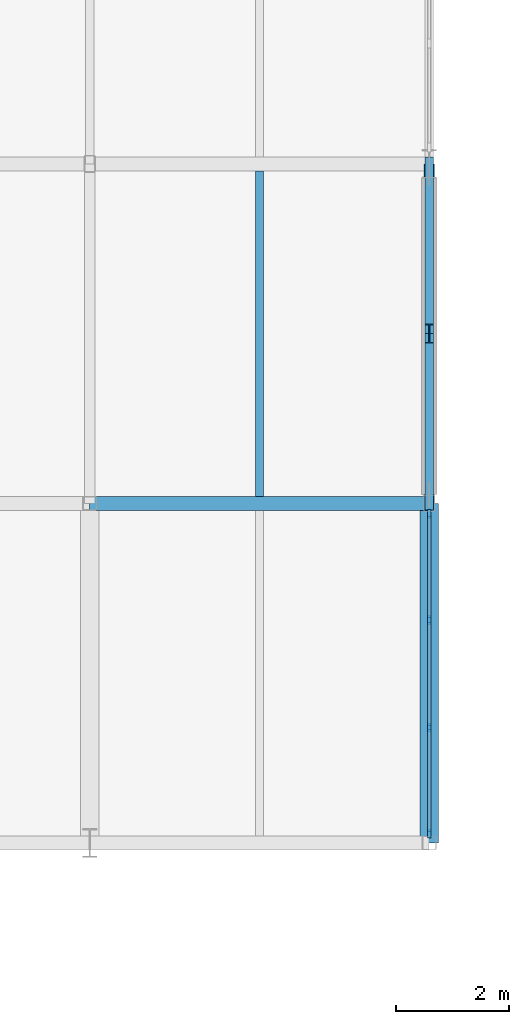
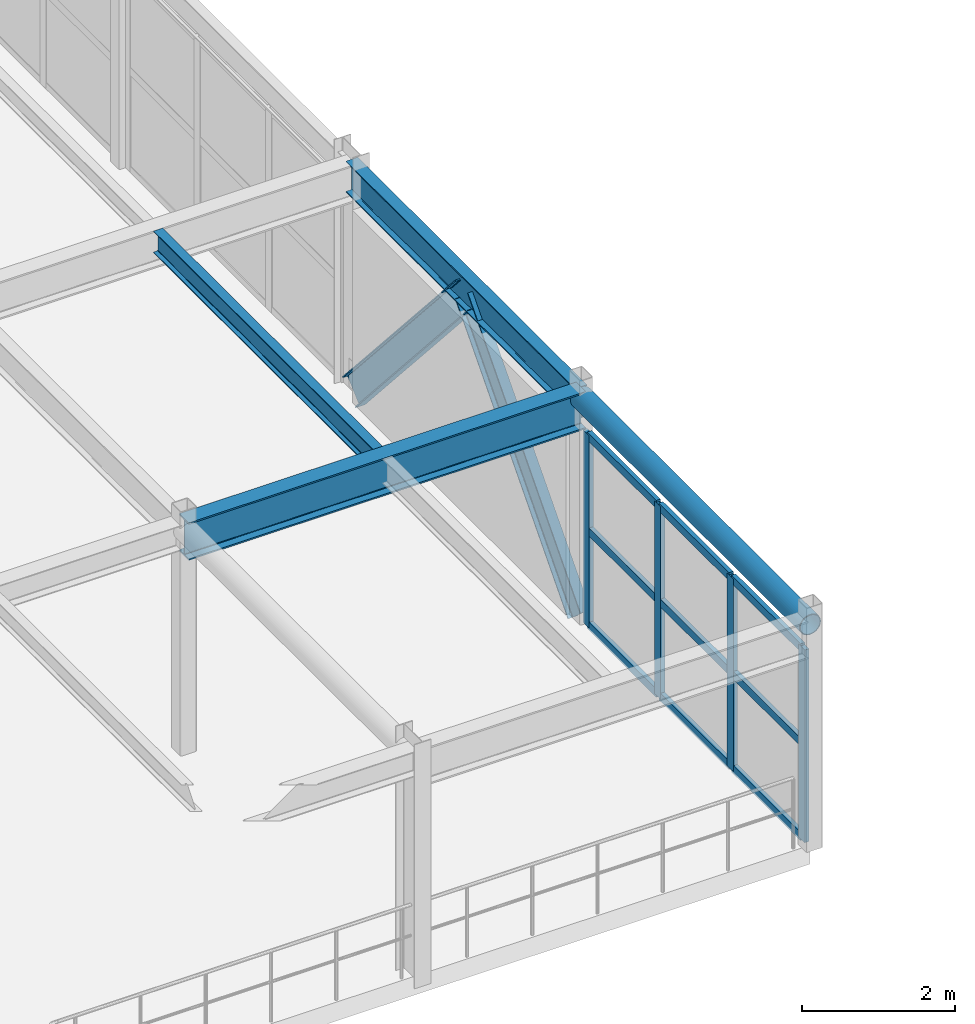
# One storey, part 10 of 63: 15 members, 4 beams, 1 element without a shape of its own.
"""IFC4 building model written with IfcOpenShell, lengths in metres."""

import ifcopenshell
import ifcopenshell.guid

model = None  # the IFC model being written
_history = None  # IfcOwnerHistory: only IFC2X3 demands one
_inside = {}  # id of a spatial element -> (the spatial element, [elements in it])
_under = {}  # id of a project, library or spatial element -> (it, [spatial elements below it])
_declared = {}  # id of a project -> (the project, [libraries it declares])
_typed = {}  # id of a type object -> (the type object, [elements of that type])
_made_of = {}  # id of a material, layer set ... -> (it, [elements and type objects made of it])


def new_model(schema):
    """Start an empty IFC model of exactly this schema.

    Asked for "IFC4X3", IfcOpenShell would pick the latest addendum, in which some entities
    have other attributes; the version numbers below select the first issue.
    IFC2X3 requires an IfcOwnerHistory on every rooted entity: one is made here for all.
    """
    global model, _history
    if schema == "IFC4X3":
        model = ifcopenshell.file(schema_version=(4, 3, 0, 0))
    else:
        model = ifcopenshell.file(schema=schema)
    _inside.clear()
    _under.clear()
    _declared.clear()
    _typed.clear()
    _made_of.clear()
    _history = None
    if model.schema == "IFC2X3":
        org = make("IfcOrganization", Name="unknown")
        user = make(
            "IfcPersonAndOrganization",
            ThePerson=make("IfcPerson", FamilyName="unknown"),
            TheOrganization=org,
        )
        app = make(
            "IfcApplication",
            ApplicationDeveloper=org,
            Version="unknown",
            ApplicationFullName="unknown",
            ApplicationIdentifier="unknown",
        )
        _history = make(
            "IfcOwnerHistory",
            OwningUser=user,
            OwningApplication=app,
            ChangeAction="ADDED",
            CreationDate=0,
        )
    return model


def make(cls, **values):
    """One entity of the class cls with the attributes given. An attribute that is None is left unset."""
    return model.create_entity(
        cls, **{name: value for name, value in values.items() if value is not None}
    )


def rooted(cls, **values):
    """An entity with a GlobalId (a new one), such as an element, a storey or a relation."""
    return make(cls, GlobalId=ifcopenshell.guid.new(), OwnerHistory=_history, **values)


def si_unit(unit_type, name, prefix=None):
    """IfcSIUnit, for example si_unit("LENGTHUNIT", "METRE", prefix="MILLI")."""
    return make("IfcSIUnit", UnitType=unit_type, Prefix=prefix, Name=name)


def assignment(units):
    """IfcUnitAssignment: the units of a project."""
    return None if units is None else make("IfcUnitAssignment", Units=units)


def point(xyz):
    """IfcCartesianPoint."""
    return None if xyz is None else make("IfcCartesianPoint", Coordinates=xyz)


def direction(xyz):
    """IfcDirection."""
    return None if xyz is None else make("IfcDirection", DirectionRatios=xyz)


def frame(location, z_axis=None, x_axis=None):
    """IfcAxis2Placement3D, a coordinate frame: its origin and axes. An axis left out is left unset."""
    return make(
        "IfcAxis2Placement3D",
        Location=point(location),
        Axis=direction(z_axis),
        RefDirection=direction(x_axis),
    )


def frame_2d(location, x_axis=None):
    """IfcAxis2Placement2D, a coordinate frame in the plane: its origin and x axis."""
    return make(
        "IfcAxis2Placement2D", Location=point(location), RefDirection=direction(x_axis)
    )


def origin():
    """The frame at (0, 0, 0) with its axes left unset."""
    return frame((0.0, 0.0, 0.0))


def origin_2d():
    """The frame at (0, 0) in the plane with its x axis left unset."""
    return frame_2d((0.0, 0.0))


def place(relative_to, where):
    """IfcLocalPlacement: puts the frame where relative to a parent placement (None: the world)."""
    return make(
        "IfcLocalPlacement", PlacementRelTo=relative_to, RelativePlacement=where
    )


def context(
    kind, dimensions, precision=None, world=None, true_north=None, identifier=None
):
    """IfcGeometricRepresentationContext, for example the 3D "Model" context."""
    return make(
        "IfcGeometricRepresentationContext",
        ContextIdentifier=identifier,
        ContextType=kind,
        CoordinateSpaceDimension=dimensions,
        Precision=precision,
        WorldCoordinateSystem=world,
        TrueNorth=true_north,
    )


def subcontext(parent, identifier, kind, view, scale=None):
    """IfcGeometricRepresentationSubContext, for example "Body" below "Model"."""
    return make(
        "IfcGeometricRepresentationSubContext",
        ContextIdentifier=identifier,
        ContextType=kind,
        ParentContext=parent,
        TargetScale=scale,
        TargetView=view,
    )


def project(units=None, contexts=None):
    """IfcProject with its units and contexts."""
    return rooted(
        "IfcProject",
        Name="project",
        RepresentationContexts=contexts,
        UnitsInContext=assignment(units),
    )


def spatial(cls, under=None, at=None, **own):
    """A site, building, storey or space (cls), placed at a placement, below another one or the project."""
    s = rooted(cls, ObjectPlacement=at, **own)
    if under is not None:
        _under.setdefault(under.id(), (under, []))[1].append(s)
    return s


def profile(cls, at=None, kind="AREA", **sizes):
    """A parametric profile (cls). Its sizes go by their IFC names, for example OverallWidth=200.0."""
    return make(cls, ProfileType=kind, Position=at, **sizes)


def rectangle(**sizes):
    """IfcRectangleProfileDef."""
    return profile("IfcRectangleProfileDef", **sizes)


def hollow_circle(**sizes):
    """IfcCircleHollowProfileDef."""
    return profile("IfcCircleHollowProfileDef", **sizes)


def i_section(**sizes):
    """IfcIShapeProfileDef."""
    return profile("IfcIShapeProfileDef", **sizes)


def extrude(swept, where, along, depth):
    """IfcExtrudedAreaSolid: the profile swept, set in the frame where, extruded along a direction by depth."""
    return make(
        "IfcExtrudedAreaSolid",
        SweptArea=swept,
        Position=where,
        ExtrudedDirection=direction(along),
        Depth=depth,
    )


def shape(context_of_items, identifier, shape_type, items):
    """IfcShapeRepresentation: the items that make up one representation, for example the "Body"."""
    return make(
        "IfcShapeRepresentation",
        ContextOfItems=context_of_items,
        RepresentationIdentifier=identifier,
        RepresentationType=shape_type,
        Items=items,
    )


def material(Name=None, Category=None):
    """IfcMaterial."""
    return make("IfcMaterial", Name=Name, Category=Category)


def material_profile(
    of_material, cross_section, Name=None, Category=None, Priority=None
):
    """IfcMaterialProfile: a cross section and its material."""
    return make(
        "IfcMaterialProfile",
        Name=Name,
        Material=of_material,
        Profile=cross_section,
        Priority=Priority,
        Category=Category,
    )


def profile_set(profiles, Name=None, composite=None):
    """IfcMaterialProfileSet."""
    return make(
        "IfcMaterialProfileSet",
        Name=Name,
        MaterialProfiles=profiles,
        CompositeProfile=composite,
    )


def made_of(thing, what):
    """Note that an element or type object is made of a material, layer set ...; save() writes the relation."""
    if what is not None:
        _made_of.setdefault(what.id(), (what, []))[1].append(thing)
    return thing


def type_object(cls, material=None, **own):
    """A type object (cls), such as IfcWallType, which elements share."""
    return made_of(rooted(cls, **own), material)


def element(
    cls,
    number,
    at=None,
    inside=None,
    cuts=None,
    type_object=None,
    material=None,
    context=None,
    identifier="Body",
    shape_type=None,
    held_by="IfcProductDefinitionShape",
    body=None,
    shapes=None,
    **own,
):
    """One element of the class cls, such as IfcWall. Its Tag is "e" and its number.

    at: its placement. inside: the storey or other place that contains it. cuts: it is an
    opening in that element (IfcRelVoidsElement). A single representation is given by context,
    identifier, shape_type and body (its items); several are given by shapes. held_by: the class
    of the entity that holds the representations. save() writes the other relations.
    """
    e = rooted(cls, Tag="e%d" % number, ObjectPlacement=at, **own)
    if body is not None:
        shapes = [shape(context, identifier, shape_type, body)]
    if shapes is not None:
        e.Representation = make(held_by, Representations=shapes)
    if inside is not None:
        _inside.setdefault(inside.id(), (inside, []))[1].append(e)
    if cuts is not None:
        rooted(
            "IfcRelVoidsElement", RelatingBuildingElement=cuts, RelatedOpeningElement=e
        )
    if type_object is not None:
        _typed.setdefault(type_object.id(), (type_object, []))[1].append(e)
    return made_of(e, material)


def aggregate(whole, parts):
    """IfcRelAggregates: a whole, such as a stair, and the parts it consists of."""
    return rooted("IfcRelAggregates", RelatingObject=whole, RelatedObjects=parts)


def save(model, path):
    """Write the relations noted so far, then the file.

    IfcRelAggregates (storeys below a building ...), IfcRelContainedInSpatialStructure (elements
    in a storey), IfcRelDefinesByType, IfcRelAssociatesMaterial and IfcRelDeclares: one each for
    every whole, place, type object, material and project.
    """
    for whole, parts in _under.values():
        aggregate(whole, parts)
    for where, things in _inside.values():
        rooted(
            "IfcRelContainedInSpatialStructure",
            RelatedElements=things,
            RelatingStructure=where,
        )
    for kind, things in _typed.values():
        rooted("IfcRelDefinesByType", RelatedObjects=things, RelatingType=kind)
    for what, things in _made_of.values():
        rooted("IfcRelAssociatesMaterial", RelatedObjects=things, RelatingMaterial=what)
    for by, libraries in _declared.values():
        rooted("IfcRelDeclares", RelatingContext=by, RelatedDefinitions=libraries)
    model.write(path)


model = new_model("IFC4")

# Units and contexts
model_context = context("Model", 3, precision=1e-05, world=origin(), true_north=direction((0.0, 1.0)))
body_context = subcontext(model_context, "Body", "Model", "MODEL_VIEW")
ifc_project = project(units=[si_unit("LENGTHUNIT", "METRE"), si_unit("AREAUNIT", "SQUARE_METRE"), si_unit("VOLUMEUNIT", "CUBIC_METRE"), si_unit("PLANEANGLEUNIT", "RADIAN"), si_unit("MASSUNIT", "GRAM", prefix="KILO")], contexts=[model_context])

# Site, building, storey
site_placement = place(None, origin())
site = spatial("IfcSite", under=ifc_project, at=site_placement, CompositionType="ELEMENT")
building_placement = place(site_placement, origin())
building = spatial("IfcBuilding", under=site, at=building_placement, Name="Varnakota Square Police Headquarters", CompositionType="ELEMENT")
storey_placement = place(building_placement, frame((0.0, 0.0, 22.199951171875)))
storey = spatial("IfcBuildingStorey", under=building, at=storey_placement, Name="L05", CompositionType="ELEMENT", Elevation=22.199951171875)

# Beams
ifc_material_1 = material(Name="Steel IS 2062 Grade 350", Category="steel")
ifc_material_profile_1 = material_profile(ifc_material_1, hollow_circle(Radius=0.161865234375, WallThickness=0.0126953125, at=origin_2d()), Name="CHS 323.9x12.7")
ifc_profile_set_1 = profile_set([ifc_material_profile_1], Name="Steel IS 2062 Grade 350")
beam_type_1 = type_object("IfcBeamType", Name="BM-ARC-CHS324", PredefinedType="BEAM", material=ifc_profile_set_1)
beam_1_placement = place(storey_placement, frame((42.0, 21.0, 3.528076171875), z_axis=(0.0, 1.0, 0.0), x_axis=(-1.0, 0.0, 0.0)))
element("IfcBeam", 1, at=beam_1_placement, inside=storey, type_object=beam_type_1, Name="BMG-L05-3199", PredefinedType="BEAM", context=body_context, shape_type="SweptSolid", body=[
    extrude(hollow_circle(Radius=0.161865234375, WallThickness=0.0126953125, at=origin_2d()), origin(), (0.0, 0.0, 1.0), 6.0),
])
ifc_material_profile_2 = material_profile(ifc_material_1, i_section(OverallWidth=0.139892578125, OverallDepth=0.35009765625, WebThickness=0.008056640625, FlangeThickness=0.01416015625, FilletRadius=0.013916015625, at=origin_2d()), Name="ISMB 350")
ifc_profile_set_2 = profile_set([ifc_material_profile_2], Name="Steel IS 2062 Grade 350")
beam_type_2 = type_object("IfcBeamType", Name="BM-ISMB350", PredefinedType="JOIST", material=ifc_profile_set_2)
beam_2_placement = place(storey_placement, frame((39.0, 27.123046875, 3.51513671875), z_axis=(0.0, 1.0, 0.0), x_axis=(-1.0, 0.0, 0.0)))
element("IfcBeam", 2, at=beam_2_placement, inside=storey, type_object=beam_type_2, Name="BMG-L05-3273", PredefinedType="JOIST", context=body_context, shape_type="SweptSolid", body=[
    extrude(i_section(OverallWidth=0.139892578125, OverallDepth=0.35009765625, WebThickness=0.008056640625, FlangeThickness=0.01416015625, FilletRadius=0.013916015625, at=origin_2d()), origin(), (0.0, 0.0, 1.0), 5.75390625),
])
ifc_material_profile_3 = material_profile(ifc_material_1, i_section(OverallWidth=0.179931640625, OverallDepth=0.5, WebThickness=0.01025390625, FlangeThickness=0.01708984375, FilletRadius=0.01708984375, at=origin_2d()), Name="ISMB 500")
ifc_profile_set_3 = profile_set([ifc_material_profile_3], Name="Steel IS 2062 Grade 350")
beam_type_3 = type_object("IfcBeamType", Name="BM-ISMB500", PredefinedType="BEAM", material=ifc_profile_set_3)
beam_3_placement = place(storey_placement, frame((42.0, 27.0, 3.43994140625), z_axis=(0.0, 1.0, 0.0), x_axis=(-1.0, 0.0, 0.0)))
element("IfcBeam", 3, at=beam_3_placement, inside=storey, type_object=beam_type_3, Name="BMG-L05-3200", PredefinedType="BEAM", context=body_context, shape_type="SweptSolid", body=[
    extrude(i_section(OverallWidth=0.179931640625, OverallDepth=0.5, WebThickness=0.01025390625, FlangeThickness=0.01708984375, FilletRadius=0.01708984375, at=origin_2d()), origin(), (0.0, 0.0, 1.0), 6.0),
])
ifc_material_profile_4 = material_profile(ifc_material_1, i_section(OverallWidth=0.25, OverallDepth=0.60009765625, WebThickness=0.01171875, FlangeThickness=0.023681640625, FilletRadius=0.01708984375, at=origin_2d()), Name="ISWB 600")
ifc_profile_set_4 = profile_set([ifc_material_profile_4], Name="Steel IS 2062 Grade 350")
beam_type_4 = type_object("IfcBeamType", Name="BM-ISWB600", PredefinedType="BEAM", material=ifc_profile_set_4)
beam_4_placement = place(storey_placement, frame((36.0, 27.0, 3.39013671875), z_axis=(1.0, 0.0, 0.0), x_axis=(0.0, 1.0, 0.0)))
element("IfcBeam", 4, at=beam_4_placement, inside=storey, type_object=beam_type_4, Name="BMG-L05-3112", PredefinedType="BEAM", context=body_context, shape_type="SweptSolid", body=[
    extrude(i_section(OverallWidth=0.25, OverallDepth=0.60009765625, WebThickness=0.01171875, FlangeThickness=0.023681640625, FilletRadius=0.01708984375, at=origin_2d()), origin(), (0.0, 0.0, 1.0), 6.0),
])

# Curtain wall, members
ifc_material_2 = material(Name="Anodised Aluminium Framing", Category="aluminium")
curtain_wall_type = type_object("IfcCurtainWallType", Name="CW-SYS-D", PredefinedType="NOTDEFINED", material=ifc_material_2)
curtain_wall_placement = place(storey_placement, origin())
curtain_wall = element("IfcCurtainWall", 5, at=curtain_wall_placement, inside=storey, type_object=curtain_wall_type, Name="Unitised curtain wall CWG-L05-192", PredefinedType="NOTDEFINED")
ifc_material_3 = material(Name="Anodised Aluminium 6063-T6", Category="aluminium")
ifc_material_profile_5 = material_profile(ifc_material_3, rectangle(XDim=0.06494140625, YDim=0.159912109375, at=origin_2d()), Name="ALU MULLION 65x160")
ifc_profile_set_5 = profile_set([ifc_material_profile_5], Name="Anodised Aluminium 6063-T6")
member_type_1 = type_object("IfcMemberType", Name="CWM-150", PredefinedType="MULLION", material=ifc_profile_set_5)
member_1_placement = place(storey_placement, frame((42.0, 21.16259765625, 0.0), z_axis=(0.0, 0.0, 1.0), x_axis=(-1.0, 0.0, 0.0)))
member_1 = element("IfcMember", 6, at=member_1_placement, type_object=member_type_1, Name="CWG-L05-192 mullion 1", PredefinedType="MULLION", context=body_context, shape_type="SweptSolid", body=[
    extrude(rectangle(XDim=0.06494140625, YDim=0.159912109375, at=origin_2d()), origin(), (0.0, 0.0, 1.0), 3.080078125),
])
member_2_placement = place(storey_placement, frame((42.0, 23.034912109375, 0.0), z_axis=(0.0, 0.0, 1.0), x_axis=(-1.0, 0.0, 0.0)))
member_2 = element("IfcMember", 7, at=member_2_placement, type_object=member_type_1, Name="CWG-L05-192 mullion 2", PredefinedType="MULLION", context=body_context, shape_type="SweptSolid", body=[
    extrude(rectangle(XDim=0.06494140625, YDim=0.159912109375, at=origin_2d()), origin(), (0.0, 0.0, 1.0), 3.080078125),
])
member_3_placement = place(storey_placement, frame((42.0, 24.93994140625, 0.0), z_axis=(0.0, 0.0, 1.0), x_axis=(-1.0, 0.0, 0.0)))
member_3 = element("IfcMember", 8, at=member_3_placement, type_object=member_type_1, Name="CWG-L05-192 mullion 3", PredefinedType="MULLION", context=body_context, shape_type="SweptSolid", body=[
    extrude(rectangle(XDim=0.06494140625, YDim=0.159912109375, at=origin_2d()), origin(), (0.0, 0.0, 1.0), 3.080078125),
])
member_4_placement = place(storey_placement, frame((42.0, 26.8125, 0.0), z_axis=(0.0, 0.0, 1.0), x_axis=(-1.0, 0.0, 0.0)))
member_4 = element("IfcMember", 9, at=member_4_placement, type_object=member_type_1, Name="CWG-L05-192 mullion 4", PredefinedType="MULLION", context=body_context, shape_type="SweptSolid", body=[
    extrude(rectangle(XDim=0.06494140625, YDim=0.159912109375, at=origin_2d()), origin(), (0.0, 0.0, 1.0), 3.080078125),
])
ifc_material_profile_6 = material_profile(ifc_material_3, rectangle(XDim=0.06494140625, YDim=0.1298828125, at=origin_2d()), Name="ALU TRANSOM 65x130")
ifc_profile_set_6 = profile_set([ifc_material_profile_6], Name="Anodised Aluminium 6063-T6")
member_type_2 = type_object("IfcMemberType", Name="CWT-120", PredefinedType="USERDEFINED", material=ifc_profile_set_6)
member_5_placement = place(storey_placement, frame((42.0, 21.195068359375, 0.032470703125), z_axis=(0.0, 1.0, 0.0), x_axis=(-1.0, 0.0, 0.0)))
member_5 = element("IfcMember", 10, at=member_5_placement, type_object=member_type_2, Name="CWG-L05-192 transom 1.1", ObjectType="TRANSOM", PredefinedType="USERDEFINED", context=body_context, shape_type="SweptSolid", body=[
    extrude(rectangle(XDim=0.06494140625, YDim=0.1298828125, at=origin_2d()), origin(), (0.0, 0.0, 1.0), 1.807373046875),
])
member_6_placement = place(storey_placement, frame((42.0, 21.195068359375, 1.5400390625), z_axis=(0.0, 1.0, 0.0), x_axis=(-1.0, 0.0, 0.0)))
member_6 = element("IfcMember", 11, at=member_6_placement, type_object=member_type_2, Name="CWG-L05-192 transom 1.2", ObjectType="TRANSOM", PredefinedType="USERDEFINED", context=body_context, shape_type="SweptSolid", body=[
    extrude(rectangle(XDim=0.06494140625, YDim=0.1298828125, at=origin_2d()), origin(), (0.0, 0.0, 1.0), 1.807373046875),
])
member_7_placement = place(storey_placement, frame((42.0, 21.195068359375, 3.047607421875), z_axis=(0.0, 1.0, 0.0), x_axis=(-1.0, 0.0, 0.0)))
member_7 = element("IfcMember", 12, at=member_7_placement, type_object=member_type_2, Name="CWG-L05-192 transom 1.3", ObjectType="TRANSOM", PredefinedType="USERDEFINED", context=body_context, shape_type="SweptSolid", body=[
    extrude(rectangle(XDim=0.06494140625, YDim=0.1298828125, at=origin_2d()), origin(), (0.0, 0.0, 1.0), 1.807373046875),
])
member_8_placement = place(storey_placement, frame((42.0, 23.0673828125, 0.032470703125), z_axis=(0.0, 1.0, 0.0), x_axis=(-1.0, 0.0, 0.0)))
member_8 = element("IfcMember", 13, at=member_8_placement, type_object=member_type_2, Name="CWG-L05-192 transom 2.1", ObjectType="TRANSOM", PredefinedType="USERDEFINED", context=body_context, shape_type="SweptSolid", body=[
    extrude(rectangle(XDim=0.06494140625, YDim=0.1298828125, at=origin_2d()), origin(), (0.0, 0.0, 1.0), 1.840087890625),
])
member_9_placement = place(storey_placement, frame((42.0, 23.0673828125, 1.5400390625), z_axis=(0.0, 1.0, 0.0), x_axis=(-1.0, 0.0, 0.0)))
member_9 = element("IfcMember", 14, at=member_9_placement, type_object=member_type_2, Name="CWG-L05-192 transom 2.2", ObjectType="TRANSOM", PredefinedType="USERDEFINED", context=body_context, shape_type="SweptSolid", body=[
    extrude(rectangle(XDim=0.06494140625, YDim=0.1298828125, at=origin_2d()), origin(), (0.0, 0.0, 1.0), 1.840087890625),
])
member_10_placement = place(storey_placement, frame((42.0, 23.0673828125, 3.047607421875), z_axis=(0.0, 1.0, 0.0), x_axis=(-1.0, 0.0, 0.0)))
member_10 = element("IfcMember", 15, at=member_10_placement, type_object=member_type_2, Name="CWG-L05-192 transom 2.3", ObjectType="TRANSOM", PredefinedType="USERDEFINED", context=body_context, shape_type="SweptSolid", body=[
    extrude(rectangle(XDim=0.06494140625, YDim=0.1298828125, at=origin_2d()), origin(), (0.0, 0.0, 1.0), 1.840087890625),
])
member_11_placement = place(storey_placement, frame((42.0, 24.972412109375, 0.032470703125), z_axis=(0.0, 1.0, 0.0), x_axis=(-1.0, 0.0, 0.0)))
member_11 = element("IfcMember", 16, at=member_11_placement, type_object=member_type_2, Name="CWG-L05-192 transom 3.1", ObjectType="TRANSOM", PredefinedType="USERDEFINED", context=body_context, shape_type="SweptSolid", body=[
    extrude(rectangle(XDim=0.06494140625, YDim=0.1298828125, at=origin_2d()), origin(), (0.0, 0.0, 1.0), 1.8076171875),
])
member_12_placement = place(storey_placement, frame((42.0, 24.972412109375, 1.5400390625), z_axis=(0.0, 1.0, 0.0), x_axis=(-1.0, 0.0, 0.0)))
member_12 = element("IfcMember", 17, at=member_12_placement, type_object=member_type_2, Name="CWG-L05-192 transom 3.2", ObjectType="TRANSOM", PredefinedType="USERDEFINED", context=body_context, shape_type="SweptSolid", body=[
    extrude(rectangle(XDim=0.06494140625, YDim=0.1298828125, at=origin_2d()), origin(), (0.0, 0.0, 1.0), 1.8076171875),
])
member_13_placement = place(storey_placement, frame((42.0, 24.972412109375, 3.047607421875), z_axis=(0.0, 1.0, 0.0), x_axis=(-1.0, 0.0, 0.0)))
member_13 = element("IfcMember", 18, at=member_13_placement, type_object=member_type_2, Name="CWG-L05-192 transom 3.3", ObjectType="TRANSOM", PredefinedType="USERDEFINED", context=body_context, shape_type="SweptSolid", body=[
    extrude(rectangle(XDim=0.06494140625, YDim=0.1298828125, at=origin_2d()), origin(), (0.0, 0.0, 1.0), 1.8076171875),
])
aggregate(curtain_wall, [member_1, member_2, member_3, member_4, member_5, member_6, member_7, member_8, member_9, member_10, member_11, member_12, member_13])

# Members
ifc_material_profile_7 = material_profile(ifc_material_1, i_section(OverallWidth=0.14990234375, OverallDepth=0.449951171875, WebThickness=0.009521484375, FlangeThickness=0.017333984375, FilletRadius=0.014892578125, at=origin_2d()), Name="ISMB 450")
ifc_profile_set_7 = profile_set([ifc_material_profile_7], Name="Steel IS 2062 Grade 350")
member_type_3 = type_object("IfcMemberType", Name="MEM-BR-ISMB450", PredefinedType="BRACE", material=ifc_profile_set_7)
for number, where, z_axis, x_axis, name in (
    (19, (42.0, 27.050048828125, 0.02001953125), (0.0, 0.663092355777, 0.748537592717), (-1.0, 0.0, 0.0), "Lateral brace BF3 L05 left"),
    (20, (42.0, 32.949951171875, 0.02001953125), (0.0, -0.663092355777, 0.748537592717), (1.0, 0.0, 0.0), "Lateral brace BF3 L05 right"),
):
    element("IfcMember", number, at=place(storey_placement, frame(where, z_axis=z_axis, x_axis=x_axis)), inside=storey, type_object=member_type_3, Name=name, PredefinedType="BRACE", context=body_context, shape_type="SweptSolid", body=[
        extrude(i_section(OverallWidth=0.14990234375, OverallDepth=0.449951171875, WebThickness=0.009521484375, FlangeThickness=0.017333984375, FilletRadius=0.014892578125, at=origin_2d()), origin(), (0.0, 0.0, 1.0), 4.44873046875),
    ])

save(model, "model.ifc")
